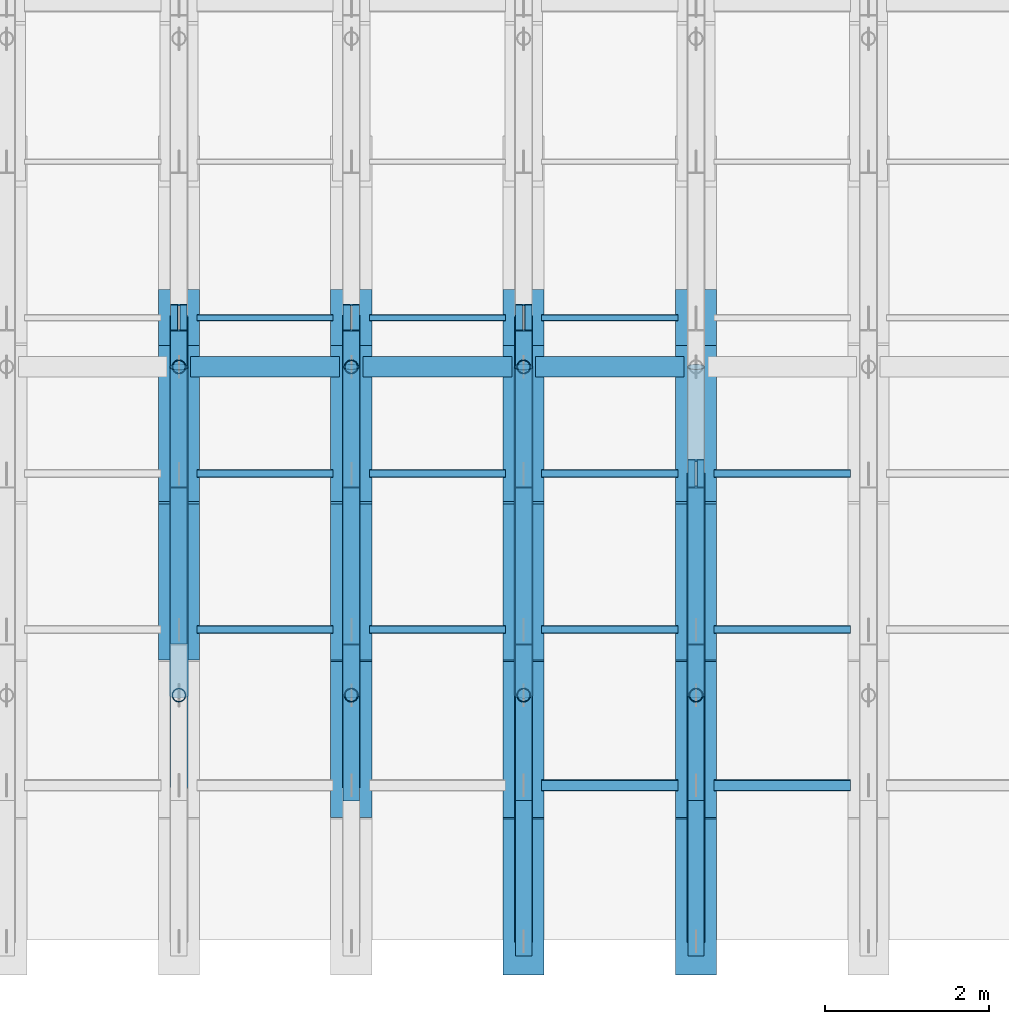
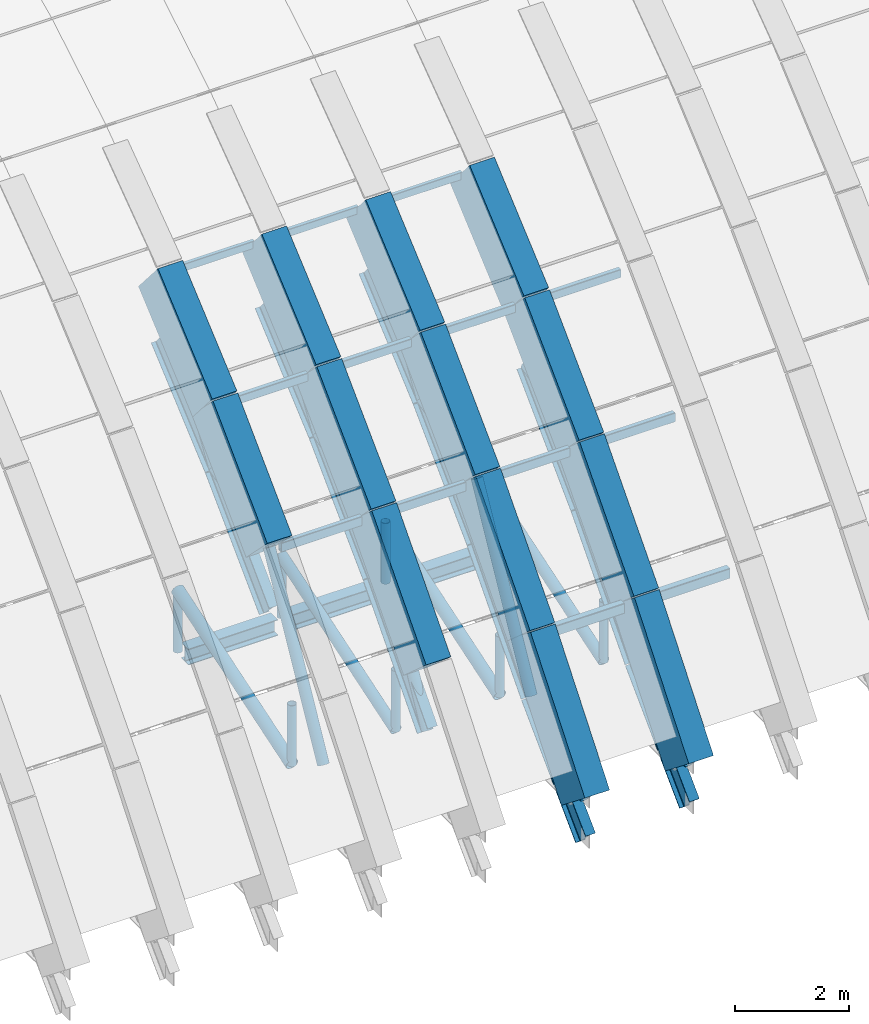
# One storey, part 7 of 67: 37 members, 28 beams.
"""IFC4 building model written with IfcOpenShell, lengths in metres."""

from ifc_helpers import new_model, si_unit, direction, frame, origin, origin_2d, place, context, subcontext, project, spatial, rectangle, hollow_rectangle, hollow_circle, i_section, extrude, material, material_profile, profile_set, type_object, element, save


model = new_model("IFC4")

# Units and contexts
model_context = context("Model", 3, precision=1e-05, world=origin(), true_north=direction((0.0, 1.0)))
body_context = subcontext(model_context, "Body", "Model", "MODEL_VIEW")
ifc_project = project(units=[si_unit("LENGTHUNIT", "METRE"), si_unit("AREAUNIT", "SQUARE_METRE"), si_unit("VOLUMEUNIT", "CUBIC_METRE"), si_unit("PLANEANGLEUNIT", "RADIAN"), si_unit("MASSUNIT", "GRAM", prefix="KILO")], contexts=[model_context])

# Site, building, storey
site_placement = place(None, origin())
site = spatial("IfcSite", under=ifc_project, at=site_placement, CompositionType="ELEMENT")
building_placement = place(site_placement, origin())
building = spatial("IfcBuilding", under=site, at=building_placement, Name="Shengluoqiao Park Theatre", CompositionType="ELEMENT")
storey_placement = place(building_placement, frame((0.0, 0.0, 28.60009765625)))
storey = spatial("IfcBuildingStorey", under=building, at=storey_placement, Name="Roof", CompositionType="ELEMENT", Elevation=28.60009765625)

# Beams
ifc_material_1 = material(Name="Concrete C50", Category="concrete")
ifc_material_profile_1 = material_profile(ifc_material_1, rectangle(XDim=0.5, YDim=1.050048828125, at=origin_2d()), Name="RC ARCH 500x1050")
ifc_profile_set_1 = profile_set([ifc_material_profile_1], Name="Concrete C50")
beam_type_1 = type_object("IfcBeamType", Name="STR-BM-AR-5010", PredefinedType="BEAM", material=ifc_profile_set_1)
beam_1_placement = place(storey_placement, frame((69.60009765625, 79.800048828125, -5.484130859375), z_axis=(0.0, 0.708926398432, 0.705282469373), x_axis=(-1.0, 0.0, 0.0)))
element("IfcBeam", 1, at=beam_1_placement, inside=storey, type_object=beam_type_1, Name="Barrel-Shell Arch Rib R13-S03", PredefinedType="BEAM", context=body_context, shape_type="SweptSolid", body=[
    extrude(rectangle(XDim=0.5, YDim=1.050048828125, at=origin_2d()), origin(), (0.0, 0.0, 1.0), 2.679931640625),
])
beam_2_placement = place(storey_placement, frame((69.60009765625, 81.699951171875, -3.593994140625), z_axis=(0.0, 0.757433195517, 0.652912669757), x_axis=(-1.0, 0.0, 0.0)))
element("IfcBeam", 2, at=beam_2_placement, inside=storey, type_object=beam_type_1, Name="Barrel-Shell Arch Rib R13-S04", PredefinedType="BEAM", context=body_context, shape_type="SweptSolid", body=[
    extrude(rectangle(XDim=0.5, YDim=1.050048828125, at=origin_2d()), origin(), (0.0, 0.0, 1.0), 2.508544921875),
])
beam_3_placement = place(storey_placement, frame((71.699951171875, 77.89990234375, -7.6259765625), z_axis=(0.0, 0.663638456789, 0.748053473136), x_axis=(-1.0, 0.0, 0.0)))
element("IfcBeam", 3, at=beam_3_placement, inside=storey, type_object=beam_type_1, Name="Barrel-Shell Arch Rib R14-S02", PredefinedType="BEAM", context=body_context, shape_type="SweptSolid", body=[
    extrude(rectangle(XDim=0.5, YDim=1.050048828125, at=origin_2d()), origin(), (0.0, 0.0, 1.0), 2.86328125),
])
beam_4_placement = place(storey_placement, frame((71.699951171875, 79.800048828125, -5.484130859375), z_axis=(0.0, 0.708926398432, 0.705282469373), x_axis=(-1.0, 0.0, 0.0)))
element("IfcBeam", 4, at=beam_4_placement, inside=storey, type_object=beam_type_1, Name="Barrel-Shell Arch Rib R14-S03", PredefinedType="BEAM", context=body_context, shape_type="SweptSolid", body=[
    extrude(rectangle(XDim=0.5, YDim=1.050048828125, at=origin_2d()), origin(), (0.0, 0.0, 1.0), 2.679931640625),
])
beam_5_placement = place(storey_placement, frame((71.699951171875, 81.699951171875, -3.593994140625), z_axis=(0.0, 0.757433195517, 0.652912669757), x_axis=(-1.0, 0.0, 0.0)))
element("IfcBeam", 5, at=beam_5_placement, inside=storey, type_object=beam_type_1, Name="Barrel-Shell Arch Rib R14-S04", PredefinedType="BEAM", context=body_context, shape_type="SweptSolid", body=[
    extrude(rectangle(XDim=0.5, YDim=1.050048828125, at=origin_2d()), origin(), (0.0, 0.0, 1.0), 2.508544921875),
])
beam_6_placement = place(storey_placement, frame((73.800048828125, 76.0, -10.02001953125), z_axis=(0.0, 0.621631409309, 0.783309894588), x_axis=(-1.0, 0.0, 0.0)))
element("IfcBeam", 6, at=beam_6_placement, inside=storey, type_object=beam_type_1, Name="Barrel-Shell Arch Rib R15-S01", PredefinedType="BEAM", context=body_context, shape_type="SweptSolid", body=[
    extrude(rectangle(XDim=0.5, YDim=1.050048828125, at=origin_2d()), origin(), (0.0, 0.0, 1.0), 3.056396484375),
])
beam_7_placement = place(storey_placement, frame((73.800048828125, 77.89990234375, -7.6259765625), z_axis=(0.0, 0.663638456789, 0.748053473136), x_axis=(-1.0, 0.0, 0.0)))
element("IfcBeam", 7, at=beam_7_placement, inside=storey, type_object=beam_type_1, Name="Barrel-Shell Arch Rib R15-S02", PredefinedType="BEAM", context=body_context, shape_type="SweptSolid", body=[
    extrude(rectangle(XDim=0.5, YDim=1.050048828125, at=origin_2d()), origin(), (0.0, 0.0, 1.0), 2.86328125),
])
beam_8_placement = place(storey_placement, frame((73.800048828125, 79.800048828125, -5.484130859375), z_axis=(0.0, 0.708926398432, 0.705282469373), x_axis=(-1.0, 0.0, 0.0)))
element("IfcBeam", 8, at=beam_8_placement, inside=storey, type_object=beam_type_1, Name="Barrel-Shell Arch Rib R15-S03", PredefinedType="BEAM", context=body_context, shape_type="SweptSolid", body=[
    extrude(rectangle(XDim=0.5, YDim=1.050048828125, at=origin_2d()), origin(), (0.0, 0.0, 1.0), 2.679931640625),
])
beam_9_placement = place(storey_placement, frame((73.800048828125, 81.699951171875, -3.593994140625), z_axis=(0.0, 0.757433195517, 0.652912669757), x_axis=(-1.0, 0.0, 0.0)))
element("IfcBeam", 9, at=beam_9_placement, inside=storey, type_object=beam_type_1, Name="Barrel-Shell Arch Rib R15-S04", PredefinedType="BEAM", context=body_context, shape_type="SweptSolid", body=[
    extrude(rectangle(XDim=0.5, YDim=1.050048828125, at=origin_2d()), origin(), (0.0, 0.0, 1.0), 2.508544921875),
])
beam_10_placement = place(storey_placement, frame((75.89990234375, 76.0, -10.02001953125), z_axis=(0.0, 0.621631409309, 0.783309894588), x_axis=(-1.0, 0.0, 0.0)))
element("IfcBeam", 10, at=beam_10_placement, inside=storey, type_object=beam_type_1, Name="Barrel-Shell Arch Rib R16-S01", PredefinedType="BEAM", context=body_context, shape_type="SweptSolid", body=[
    extrude(rectangle(XDim=0.5, YDim=1.050048828125, at=origin_2d()), origin(), (0.0, 0.0, 1.0), 3.056396484375),
])
beam_11_placement = place(storey_placement, frame((75.89990234375, 77.89990234375, -7.6259765625), z_axis=(0.0, 0.663638456789, 0.748053473136), x_axis=(-1.0, 0.0, 0.0)))
element("IfcBeam", 11, at=beam_11_placement, inside=storey, type_object=beam_type_1, Name="Barrel-Shell Arch Rib R16-S02", PredefinedType="BEAM", context=body_context, shape_type="SweptSolid", body=[
    extrude(rectangle(XDim=0.5, YDim=1.050048828125, at=origin_2d()), origin(), (0.0, 0.0, 1.0), 2.86328125),
])
beam_12_placement = place(storey_placement, frame((75.89990234375, 79.800048828125, -5.484130859375), z_axis=(0.0, 0.708926398432, 0.705282469373), x_axis=(-1.0, 0.0, 0.0)))
element("IfcBeam", 12, at=beam_12_placement, inside=storey, type_object=beam_type_1, Name="Barrel-Shell Arch Rib R16-S03", PredefinedType="BEAM", context=body_context, shape_type="SweptSolid", body=[
    extrude(rectangle(XDim=0.5, YDim=1.050048828125, at=origin_2d()), origin(), (0.0, 0.0, 1.0), 2.679931640625),
])
beam_13_placement = place(storey_placement, frame((75.89990234375, 81.699951171875, -3.593994140625), z_axis=(0.0, 0.757433195517, 0.652912669757), x_axis=(-1.0, 0.0, 0.0)))
element("IfcBeam", 13, at=beam_13_placement, inside=storey, type_object=beam_type_1, Name="Barrel-Shell Arch Rib R16-S04", PredefinedType="BEAM", context=body_context, shape_type="SweptSolid", body=[
    extrude(rectangle(XDim=0.5, YDim=1.050048828125, at=origin_2d()), origin(), (0.0, 0.0, 1.0), 2.508544921875),
])
ifc_material_2 = material(Name="Steel Q355", Category="steel")
ifc_material_profile_2 = material_profile(ifc_material_2, i_section(OverallWidth=0.25, OverallDepth=0.340087890625, WebThickness=0.009033203125, FlangeThickness=0.013916015625, FilletRadius=0.01611328125, at=origin_2d()), Name="HM 340x250x9x14")
ifc_profile_set_2 = profile_set([ifc_material_profile_2], Name="Steel Q355")
beam_type_2 = type_object("IfcBeamType", Name="STR-BM-G-HM340", PredefinedType="BEAM", material=ifc_profile_set_2)
for number, where, z_axis, x_axis, name in (
    (14, (69.743896484375, 83.0, -9.77001953125), (1.0, 0.0, 0.0), (0.0, 1.0, 0.0), "Auditorium Overhead Catwalk Girder R13-1"),
    (15, (71.843994140625, 83.0, -9.77001953125), (1.0, 0.0, 0.0), (0.0, 1.0, 0.0), "Auditorium Overhead Catwalk Girder R14-1"),
    (16, (73.944091796875, 83.0, -9.77001953125), (1.0, 0.0, 0.0), (0.0, 1.0, 0.0), "Auditorium Overhead Catwalk Girder R15-1"),
):
    element("IfcBeam", number, at=place(storey_placement, frame(where, z_axis=z_axis, x_axis=x_axis)), inside=storey, type_object=beam_type_2, Name=name, PredefinedType="BEAM", context=body_context, shape_type="SweptSolid", body=[
        extrude(i_section(OverallWidth=0.25, OverallDepth=0.340087890625, WebThickness=0.009033203125, FlangeThickness=0.013916015625, FilletRadius=0.01611328125, at=origin_2d()), origin(), (0.0, 0.0, 1.0), 1.81201171875),
    ])
ifc_material_profile_3 = material_profile(ifc_material_2, i_section(OverallWidth=0.199951171875, OverallDepth=0.5, WebThickness=0.010009765625, FlangeThickness=0.01611328125, FilletRadius=0.01806640625, at=origin_2d()), Name="HN 500x200x10x16")
ifc_profile_set_3 = profile_set([ifc_material_profile_3], Name="Steel Q355")
beam_type_3 = type_object("IfcBeamType", Name="STR-BM-J-HN500", PredefinedType="JOIST", material=ifc_profile_set_3)
beam_14_placement = place(storey_placement, frame((69.60009765625, 79.800048828125, -6.843994140625), z_axis=(0.0, 0.708971948389, 0.70523668112), x_axis=(-1.0, 0.0, 0.0)))
element("IfcBeam", 17, at=beam_14_placement, inside=storey, type_object=beam_type_3, Name="Barrel-Shell Lower Arch Chord R13-S03", PredefinedType="JOIST", context=body_context, shape_type="SweptSolid", body=[
    extrude(i_section(OverallWidth=0.199951171875, OverallDepth=0.5, WebThickness=0.010009765625, FlangeThickness=0.01611328125, FilletRadius=0.01806640625, at=origin_2d()), origin(), (0.0, 0.0, 1.0), 2.6796875),
])
beam_15_placement = place(storey_placement, frame((69.60009765625, 81.699951171875, -4.9541015625), z_axis=(0.0, 0.757433195517, 0.652912669757), x_axis=(-1.0, 0.0, 0.0)))
element("IfcBeam", 18, at=beam_15_placement, inside=storey, type_object=beam_type_3, Name="Barrel-Shell Lower Arch Chord R13-S04", PredefinedType="JOIST", context=body_context, shape_type="SweptSolid", body=[
    extrude(i_section(OverallWidth=0.199951171875, OverallDepth=0.5, WebThickness=0.010009765625, FlangeThickness=0.01611328125, FilletRadius=0.01806640625, at=origin_2d()), origin(), (0.0, 0.0, 1.0), 2.508544921875),
])
beam_16_placement = place(storey_placement, frame((71.699951171875, 77.89990234375, -8.986083984375), z_axis=(0.0, 0.663596128385, 0.748091022799), x_axis=(-1.0, 0.0, 0.0)))
element("IfcBeam", 19, at=beam_16_placement, inside=storey, type_object=beam_type_3, Name="Barrel-Shell Lower Arch Chord R14-S02", PredefinedType="JOIST", context=body_context, shape_type="SweptSolid", body=[
    extrude(i_section(OverallWidth=0.199951171875, OverallDepth=0.5, WebThickness=0.010009765625, FlangeThickness=0.01611328125, FilletRadius=0.01806640625, at=origin_2d()), origin(), (0.0, 0.0, 1.0), 2.863525390625),
])
beam_17_placement = place(storey_placement, frame((71.699951171875, 79.800048828125, -6.843994140625), z_axis=(0.0, 0.708971948389, 0.70523668112), x_axis=(-1.0, 0.0, 0.0)))
element("IfcBeam", 20, at=beam_17_placement, inside=storey, type_object=beam_type_3, Name="Barrel-Shell Lower Arch Chord R14-S03", PredefinedType="JOIST", context=body_context, shape_type="SweptSolid", body=[
    extrude(i_section(OverallWidth=0.199951171875, OverallDepth=0.5, WebThickness=0.010009765625, FlangeThickness=0.01611328125, FilletRadius=0.01806640625, at=origin_2d()), origin(), (0.0, 0.0, 1.0), 2.6796875),
])
beam_18_placement = place(storey_placement, frame((71.699951171875, 81.699951171875, -4.9541015625), z_axis=(0.0, 0.757433195517, 0.652912669757), x_axis=(-1.0, 0.0, 0.0)))
element("IfcBeam", 21, at=beam_18_placement, inside=storey, type_object=beam_type_3, Name="Barrel-Shell Lower Arch Chord R14-S04", PredefinedType="JOIST", context=body_context, shape_type="SweptSolid", body=[
    extrude(i_section(OverallWidth=0.199951171875, OverallDepth=0.5, WebThickness=0.010009765625, FlangeThickness=0.01611328125, FilletRadius=0.01806640625, at=origin_2d()), origin(), (0.0, 0.0, 1.0), 2.508544921875),
])
beam_19_placement = place(storey_placement, frame((73.800048828125, 76.0, -10.880126953125), z_axis=(0.0, 0.708197993403, 0.706013882398), x_axis=(-1.0, 0.0, 0.0)))
element("IfcBeam", 22, at=beam_19_placement, inside=storey, type_object=beam_type_3, Name="Barrel-Shell Lower Arch Chord R15-S01", PredefinedType="JOIST", context=body_context, shape_type="SweptSolid", body=[
    extrude(i_section(OverallWidth=0.199951171875, OverallDepth=0.5, WebThickness=0.010009765625, FlangeThickness=0.01611328125, FilletRadius=0.01806640625, at=origin_2d()), origin(), (0.0, 0.0, 1.0), 2.6826171875),
])
beam_20_placement = place(storey_placement, frame((73.800048828125, 77.89990234375, -8.986083984375), z_axis=(0.0, 0.663596128385, 0.748091022799), x_axis=(-1.0, 0.0, 0.0)))
element("IfcBeam", 23, at=beam_20_placement, inside=storey, type_object=beam_type_3, Name="Barrel-Shell Lower Arch Chord R15-S02", PredefinedType="JOIST", context=body_context, shape_type="SweptSolid", body=[
    extrude(i_section(OverallWidth=0.199951171875, OverallDepth=0.5, WebThickness=0.010009765625, FlangeThickness=0.01611328125, FilletRadius=0.01806640625, at=origin_2d()), origin(), (0.0, 0.0, 1.0), 2.863525390625),
])
beam_21_placement = place(storey_placement, frame((73.800048828125, 79.800048828125, -6.843994140625), z_axis=(0.0, 0.708971948389, 0.70523668112), x_axis=(-1.0, 0.0, 0.0)))
element("IfcBeam", 24, at=beam_21_placement, inside=storey, type_object=beam_type_3, Name="Barrel-Shell Lower Arch Chord R15-S03", PredefinedType="JOIST", context=body_context, shape_type="SweptSolid", body=[
    extrude(i_section(OverallWidth=0.199951171875, OverallDepth=0.5, WebThickness=0.010009765625, FlangeThickness=0.01611328125, FilletRadius=0.01806640625, at=origin_2d()), origin(), (0.0, 0.0, 1.0), 2.6796875),
])
beam_22_placement = place(storey_placement, frame((73.800048828125, 81.699951171875, -4.9541015625), z_axis=(0.0, 0.757433195517, 0.652912669757), x_axis=(-1.0, 0.0, 0.0)))
element("IfcBeam", 25, at=beam_22_placement, inside=storey, type_object=beam_type_3, Name="Barrel-Shell Lower Arch Chord R15-S04", PredefinedType="JOIST", context=body_context, shape_type="SweptSolid", body=[
    extrude(i_section(OverallWidth=0.199951171875, OverallDepth=0.5, WebThickness=0.010009765625, FlangeThickness=0.01611328125, FilletRadius=0.01806640625, at=origin_2d()), origin(), (0.0, 0.0, 1.0), 2.508544921875),
])
beam_23_placement = place(storey_placement, frame((75.89990234375, 76.0, -10.880126953125), z_axis=(0.0, 0.708197993403, 0.706013882398), x_axis=(-1.0, 0.0, 0.0)))
element("IfcBeam", 26, at=beam_23_placement, inside=storey, type_object=beam_type_3, Name="Barrel-Shell Lower Arch Chord R16-S01", PredefinedType="JOIST", context=body_context, shape_type="SweptSolid", body=[
    extrude(i_section(OverallWidth=0.199951171875, OverallDepth=0.5, WebThickness=0.010009765625, FlangeThickness=0.01611328125, FilletRadius=0.01806640625, at=origin_2d()), origin(), (0.0, 0.0, 1.0), 2.6826171875),
])
beam_24_placement = place(storey_placement, frame((75.89990234375, 77.89990234375, -8.986083984375), z_axis=(0.0, 0.663596128385, 0.748091022799), x_axis=(-1.0, 0.0, 0.0)))
element("IfcBeam", 27, at=beam_24_placement, inside=storey, type_object=beam_type_3, Name="Barrel-Shell Lower Arch Chord R16-S02", PredefinedType="JOIST", context=body_context, shape_type="SweptSolid", body=[
    extrude(i_section(OverallWidth=0.199951171875, OverallDepth=0.5, WebThickness=0.010009765625, FlangeThickness=0.01611328125, FilletRadius=0.01806640625, at=origin_2d()), origin(), (0.0, 0.0, 1.0), 2.863525390625),
])
beam_25_placement = place(storey_placement, frame((75.89990234375, 79.800048828125, -6.843994140625), z_axis=(0.0, 0.708971948389, 0.70523668112), x_axis=(-1.0, 0.0, 0.0)))
element("IfcBeam", 28, at=beam_25_placement, inside=storey, type_object=beam_type_3, Name="Barrel-Shell Lower Arch Chord R16-S03", PredefinedType="JOIST", context=body_context, shape_type="SweptSolid", body=[
    extrude(i_section(OverallWidth=0.199951171875, OverallDepth=0.5, WebThickness=0.010009765625, FlangeThickness=0.01611328125, FilletRadius=0.01806640625, at=origin_2d()), origin(), (0.0, 0.0, 1.0), 2.6796875),
])

# Members
ifc_material_profile_4 = material_profile(ifc_material_2, hollow_circle(Radius=0.109619140625, WallThickness=0.010009765625, at=origin_2d()), Name="CHS 219x10")
ifc_profile_set_4 = profile_set([ifc_material_profile_4], Name="Steel Q355")
member_type_1 = type_object("IfcMemberType", Name="STR-MEM-BRC-219", PredefinedType="BRACE", material=ifc_profile_set_4)
member_1_placement = place(storey_placement, frame((69.60009765625, 77.89990234375, -8.986083984375), z_axis=(0.0, 0.476914707828, 0.87894957845), x_axis=(-1.0, 0.0, 0.0)))
element("IfcMember", 29, at=member_1_placement, inside=storey, type_object=member_type_1, Name="Barrel-Shell Arch Truss Web 0242", PredefinedType="BRACE", context=body_context, shape_type="SweptSolid", body=[
    extrude(hollow_circle(Radius=0.109619140625, WallThickness=0.010009765625, at=origin_2d()), origin(), (0.0, 0.0, 1.0), 3.984130859375),
])
member_2_placement = place(storey_placement, frame((69.60009765625, 79.800048828125, -5.484130859375), z_axis=(0.0, 0.963219400843, 0.268716180831), x_axis=(-1.0, 0.0, 0.0)))
element("IfcMember", 30, at=member_2_placement, inside=storey, type_object=member_type_1, Name="Barrel-Shell Arch Truss Web 0243", PredefinedType="BRACE", context=body_context, shape_type="SweptSolid", body=[
    extrude(hollow_circle(Radius=0.109619140625, WallThickness=0.010009765625, at=origin_2d()), origin(), (0.0, 0.0, 1.0), 1.972412109375),
])
member_3_placement = place(storey_placement, frame((69.60009765625, 81.699951171875, -4.9541015625), z_axis=(0.0, 0.535330234694, 0.844642847494), x_axis=(-1.0, 0.0, 0.0)))
element("IfcMember", 31, at=member_3_placement, inside=storey, type_object=member_type_1, Name="Barrel-Shell Arch Truss Web 0244", PredefinedType="BRACE", context=body_context, shape_type="SweptSolid", body=[
    extrude(hollow_circle(Radius=0.109619140625, WallThickness=0.010009765625, at=origin_2d()), origin(), (0.0, 0.0, 1.0), 3.549560546875),
])
member_4_placement = place(storey_placement, frame((71.699951171875, 77.89990234375, -8.986083984375), z_axis=(0.0, 0.476914707828, 0.87894957845), x_axis=(-1.0, 0.0, 0.0)))
element("IfcMember", 32, at=member_4_placement, inside=storey, type_object=member_type_1, Name="Barrel-Shell Arch Truss Web 0262", PredefinedType="BRACE", context=body_context, shape_type="SweptSolid", body=[
    extrude(hollow_circle(Radius=0.109619140625, WallThickness=0.010009765625, at=origin_2d()), origin(), (0.0, 0.0, 1.0), 3.984130859375),
])
member_5_placement = place(storey_placement, frame((71.699951171875, 79.800048828125, -5.484130859375), z_axis=(0.0, 0.963219400843, 0.268716180831), x_axis=(-1.0, 0.0, 0.0)))
element("IfcMember", 33, at=member_5_placement, inside=storey, type_object=member_type_1, Name="Barrel-Shell Arch Truss Web 0263", PredefinedType="BRACE", context=body_context, shape_type="SweptSolid", body=[
    extrude(hollow_circle(Radius=0.109619140625, WallThickness=0.010009765625, at=origin_2d()), origin(), (0.0, 0.0, 1.0), 1.972412109375),
])
member_6_placement = place(storey_placement, frame((71.699951171875, 81.699951171875, -4.9541015625), z_axis=(0.0, 0.535330234694, 0.844642847494), x_axis=(-1.0, 0.0, 0.0)))
element("IfcMember", 34, at=member_6_placement, inside=storey, type_object=member_type_1, Name="Barrel-Shell Arch Truss Web 0264", PredefinedType="BRACE", context=body_context, shape_type="SweptSolid", body=[
    extrude(hollow_circle(Radius=0.109619140625, WallThickness=0.010009765625, at=origin_2d()), origin(), (0.0, 0.0, 1.0), 3.549560546875),
])
member_7_placement = place(storey_placement, frame((73.800048828125, 76.0, -10.02001953125), z_axis=(0.0, 0.878356711208, 0.478005740422), x_axis=(-1.0, 0.0, 0.0)))
element("IfcMember", 35, at=member_7_placement, inside=storey, type_object=member_type_1, Name="Barrel-Shell Arch Truss Web 0281", PredefinedType="BRACE", context=body_context, shape_type="SweptSolid", body=[
    extrude(hollow_circle(Radius=0.109619140625, WallThickness=0.010009765625, at=origin_2d()), origin(), (0.0, 0.0, 1.0), 2.1630859375),
])
member_8_placement = place(storey_placement, frame((73.800048828125, 77.89990234375, -8.986083984375), z_axis=(0.0, 0.476914707828, 0.87894957845), x_axis=(-1.0, 0.0, 0.0)))
element("IfcMember", 36, at=member_8_placement, inside=storey, type_object=member_type_1, Name="Barrel-Shell Arch Truss Web 0282", PredefinedType="BRACE", context=body_context, shape_type="SweptSolid", body=[
    extrude(hollow_circle(Radius=0.109619140625, WallThickness=0.010009765625, at=origin_2d()), origin(), (0.0, 0.0, 1.0), 3.984130859375),
])
member_9_placement = place(storey_placement, frame((73.800048828125, 79.800048828125, -5.484130859375), z_axis=(0.0, 0.963219400843, 0.268716180831), x_axis=(-1.0, 0.0, 0.0)))
element("IfcMember", 37, at=member_9_placement, inside=storey, type_object=member_type_1, Name="Barrel-Shell Arch Truss Web 0283", PredefinedType="BRACE", context=body_context, shape_type="SweptSolid", body=[
    extrude(hollow_circle(Radius=0.109619140625, WallThickness=0.010009765625, at=origin_2d()), origin(), (0.0, 0.0, 1.0), 1.972412109375),
])
member_10_placement = place(storey_placement, frame((73.800048828125, 81.699951171875, -4.9541015625), z_axis=(0.0, 0.535330234694, 0.844642847494), x_axis=(-1.0, 0.0, 0.0)))
element("IfcMember", 38, at=member_10_placement, inside=storey, type_object=member_type_1, Name="Barrel-Shell Arch Truss Web 0284", PredefinedType="BRACE", context=body_context, shape_type="SweptSolid", body=[
    extrude(hollow_circle(Radius=0.109619140625, WallThickness=0.010009765625, at=origin_2d()), origin(), (0.0, 0.0, 1.0), 3.549560546875),
])
member_11_placement = place(storey_placement, frame((75.89990234375, 76.0, -10.02001953125), z_axis=(0.0, 0.878356711208, 0.478005740422), x_axis=(-1.0, 0.0, 0.0)))
element("IfcMember", 39, at=member_11_placement, inside=storey, type_object=member_type_1, Name="Barrel-Shell Arch Truss Web 0301", PredefinedType="BRACE", context=body_context, shape_type="SweptSolid", body=[
    extrude(hollow_circle(Radius=0.109619140625, WallThickness=0.010009765625, at=origin_2d()), origin(), (0.0, 0.0, 1.0), 2.1630859375),
])
member_12_placement = place(storey_placement, frame((75.89990234375, 77.89990234375, -8.986083984375), z_axis=(0.0, 0.476914707828, 0.87894957845), x_axis=(-1.0, 0.0, 0.0)))
element("IfcMember", 40, at=member_12_placement, inside=storey, type_object=member_type_1, Name="Barrel-Shell Arch Truss Web 0302", PredefinedType="BRACE", context=body_context, shape_type="SweptSolid", body=[
    extrude(hollow_circle(Radius=0.109619140625, WallThickness=0.010009765625, at=origin_2d()), origin(), (0.0, 0.0, 1.0), 3.984130859375),
])
member_13_placement = place(storey_placement, frame((75.89990234375, 79.800048828125, -5.484130859375), z_axis=(0.0, 0.963219400843, 0.268716180831), x_axis=(-1.0, 0.0, 0.0)))
element("IfcMember", 41, at=member_13_placement, inside=storey, type_object=member_type_1, Name="Barrel-Shell Arch Truss Web 0303", PredefinedType="BRACE", context=body_context, shape_type="SweptSolid", body=[
    extrude(hollow_circle(Radius=0.109619140625, WallThickness=0.010009765625, at=origin_2d()), origin(), (0.0, 0.0, 1.0), 1.972412109375),
])
for number, where, z_axis, x_axis, name in (
    (42, (71.699951171875, 79.0, -9.650146484375), (0.0, 0.951030656115, 0.309096572498), (-1.0, 0.0, 0.0), "Acoustic Tie Truss Diagonal 0078"),
    (43, (75.89990234375, 79.0, -9.650146484375), (0.0, 0.951030656115, 0.309096572498), (-1.0, 0.0, 0.0), "Acoustic Tie Truss Diagonal 0112"),
):
    element("IfcMember", number, at=place(storey_placement, frame(where, z_axis=z_axis, x_axis=x_axis)), inside=storey, type_object=member_type_1, Name=name, PredefinedType="BRACE", context=body_context, shape_type="SweptSolid", body=[
        extrude(hollow_circle(Radius=0.109619140625, WallThickness=0.010009765625, at=origin_2d()), origin(), (0.0, 0.0, 1.0), 4.2060546875),
    ])
ifc_material_profile_5 = material_profile(ifc_material_2, hollow_circle(Radius=0.12255859375, WallThickness=0.010009765625, at=origin_2d()), Name="CHS 245x10")
ifc_profile_set_5 = profile_set([ifc_material_profile_5], Name="Steel Q355")
member_type_2 = type_object("IfcMemberType", Name="STR-MEM-BRC-245", PredefinedType="BRACE", material=ifc_profile_set_5)
for number, where, z_axis, x_axis, name in (
    (44, (69.60009765625, 79.0, -9.650146484375), (0.0, 0.951030656115, 0.309096572498), (-1.0, 0.0, 0.0), "Acoustic Tie Truss Diagonal 0061"),
    (45, (73.800048828125, 79.0, -9.650146484375), (0.0, 0.951030656115, 0.309096572498), (-1.0, 0.0, 0.0), "Acoustic Tie Truss Diagonal 0095"),
):
    element("IfcMember", number, at=place(storey_placement, frame(where, z_axis=z_axis, x_axis=x_axis)), inside=storey, type_object=member_type_2, Name=name, PredefinedType="BRACE", context=body_context, shape_type="SweptSolid", body=[
        extrude(hollow_circle(Radius=0.12255859375, WallThickness=0.010009765625, at=origin_2d()), origin(), (0.0, 0.0, 1.0), 4.2060546875),
    ])
ifc_material_profile_6 = material_profile(ifc_material_2, hollow_rectangle(XDim=0.080078125, YDim=0.159912109375, WallThickness=0.006103515625, InnerFilletRadius=0.006103515625, OuterFilletRadius=0.011962890625, at=origin_2d()), Name="RHS 160x80x6")
ifc_profile_set_6 = profile_set([ifc_material_profile_6], Name="Steel Q355")
member_type_3 = type_object("IfcMemberType", Name="STR-MEM-PU-R160", PredefinedType="PURLIN", material=ifc_profile_set_6)
member_14_placement = place(storey_placement, frame((69.820068359375, 83.60009765625, -1.97607421875), z_axis=(1.0, 0.0, 0.0), x_axis=(0.0, 1.0, 0.0)))
element("IfcMember", 46, at=member_14_placement, inside=storey, type_object=member_type_3, Name="Shell Longitudinal Purlin 0232", PredefinedType="PURLIN", context=body_context, shape_type="SweptSolid", body=[
    extrude(hollow_rectangle(XDim=0.080078125, YDim=0.159912109375, WallThickness=0.006103515625, InnerFilletRadius=0.006103515625, OuterFilletRadius=0.011962890625, at=origin_2d()), origin(), (0.0, 0.0, 1.0), 1.659912109375),
])
member_15_placement = place(storey_placement, frame((71.919921875, 83.60009765625, -1.97607421875), z_axis=(1.0, 0.0, 0.0), x_axis=(0.0, 1.0, 0.0)))
element("IfcMember", 47, at=member_15_placement, inside=storey, type_object=member_type_3, Name="Shell Longitudinal Purlin 0251", PredefinedType="PURLIN", context=body_context, shape_type="SweptSolid", body=[
    extrude(hollow_rectangle(XDim=0.080078125, YDim=0.159912109375, WallThickness=0.006103515625, InnerFilletRadius=0.006103515625, OuterFilletRadius=0.011962890625, at=origin_2d()), origin(), (0.0, 0.0, 1.0), 1.66015625),
])
member_16_placement = place(storey_placement, frame((74.02001953125, 83.60009765625, -1.97607421875), z_axis=(1.0, 0.0, 0.0), x_axis=(0.0, 1.0, 0.0)))
element("IfcMember", 48, at=member_16_placement, inside=storey, type_object=member_type_3, Name="Shell Longitudinal Purlin 0270", PredefinedType="PURLIN", context=body_context, shape_type="SweptSolid", body=[
    extrude(hollow_rectangle(XDim=0.080078125, YDim=0.159912109375, WallThickness=0.006103515625, InnerFilletRadius=0.006103515625, OuterFilletRadius=0.011962890625, at=origin_2d()), origin(), (0.0, 0.0, 1.0), 1.659912109375),
])
ifc_material_profile_7 = material_profile(ifc_material_2, hollow_rectangle(XDim=0.10009765625, YDim=0.179931640625, WallThickness=0.008056640625, InnerFilletRadius=0.008056640625, OuterFilletRadius=0.01611328125, at=origin_2d()), Name="RHS 180x100x8")
ifc_profile_set_7 = profile_set([ifc_material_profile_7], Name="Steel Q355")
member_type_4 = type_object("IfcMemberType", Name="STR-MEM-PU-R180", PredefinedType="PURLIN", material=ifc_profile_set_7)
member_17_placement = place(storey_placement, frame((69.820068359375, 81.699951171875, -3.64404296875), z_axis=(1.0, 0.0, 0.0), x_axis=(0.0, 1.0, 0.0)))
element("IfcMember", 49, at=member_17_placement, inside=storey, type_object=member_type_4, Name="Shell Longitudinal Purlin 0231", PredefinedType="PURLIN", context=body_context, shape_type="SweptSolid", body=[
    extrude(hollow_rectangle(XDim=0.10009765625, YDim=0.179931640625, WallThickness=0.008056640625, InnerFilletRadius=0.008056640625, OuterFilletRadius=0.01611328125, at=origin_2d()), origin(), (0.0, 0.0, 1.0), 1.659912109375),
])
member_18_placement = place(storey_placement, frame((71.919921875, 81.699951171875, -3.64404296875), z_axis=(1.0, 0.0, 0.0), x_axis=(0.0, 1.0, 0.0)))
element("IfcMember", 50, at=member_18_placement, inside=storey, type_object=member_type_4, Name="Shell Longitudinal Purlin 0250", PredefinedType="PURLIN", context=body_context, shape_type="SweptSolid", body=[
    extrude(hollow_rectangle(XDim=0.10009765625, YDim=0.179931640625, WallThickness=0.008056640625, InnerFilletRadius=0.008056640625, OuterFilletRadius=0.01611328125, at=origin_2d()), origin(), (0.0, 0.0, 1.0), 1.66015625),
])
for number, where, z_axis, x_axis, name in (
    (51, (74.02001953125, 81.699951171875, -3.64404296875), (1.0, 0.0, 0.0), (0.0, 1.0, 0.0), "Shell Longitudinal Purlin 0269"),
    (52, (76.1201171875, 81.699951171875, -3.64404296875), (1.0, 0.0, 0.0), (0.0, 1.0, 0.0), "Shell Longitudinal Purlin 0288"),
):
    element("IfcMember", number, at=place(storey_placement, frame(where, z_axis=z_axis, x_axis=x_axis)), inside=storey, type_object=member_type_4, Name=name, PredefinedType="PURLIN", context=body_context, shape_type="SweptSolid", body=[
        extrude(hollow_rectangle(XDim=0.10009765625, YDim=0.179931640625, WallThickness=0.008056640625, InnerFilletRadius=0.008056640625, OuterFilletRadius=0.01611328125, at=origin_2d()), origin(), (0.0, 0.0, 1.0), 1.659912109375),
    ])
ifc_material_profile_8 = material_profile(ifc_material_2, hollow_rectangle(XDim=0.10009765625, YDim=0.199951171875, WallThickness=0.008056640625, InnerFilletRadius=0.008056640625, OuterFilletRadius=0.01611328125, at=origin_2d()), Name="RHS 200x100x8")
ifc_profile_set_8 = profile_set([ifc_material_profile_8], Name="Steel Q355")
member_type_5 = type_object("IfcMemberType", Name="STR-MEM-PU-R200", PredefinedType="PURLIN", material=ifc_profile_set_8)
member_19_placement = place(storey_placement, frame((69.820068359375, 79.800048828125, -5.564208984375), z_axis=(1.0, 0.0, 0.0), x_axis=(0.0, 1.0, 0.0)))
element("IfcMember", 53, at=member_19_placement, inside=storey, type_object=member_type_5, Name="Shell Longitudinal Purlin 0230", PredefinedType="PURLIN", context=body_context, shape_type="SweptSolid", body=[
    extrude(hollow_rectangle(XDim=0.10009765625, YDim=0.199951171875, WallThickness=0.008056640625, InnerFilletRadius=0.008056640625, OuterFilletRadius=0.01611328125, at=origin_2d()), origin(), (0.0, 0.0, 1.0), 1.659912109375),
])
member_20_placement = place(storey_placement, frame((71.919921875, 79.800048828125, -5.564208984375), z_axis=(1.0, 0.0, 0.0), x_axis=(0.0, 1.0, 0.0)))
element("IfcMember", 54, at=member_20_placement, inside=storey, type_object=member_type_5, Name="Shell Longitudinal Purlin 0249", PredefinedType="PURLIN", context=body_context, shape_type="SweptSolid", body=[
    extrude(hollow_rectangle(XDim=0.10009765625, YDim=0.199951171875, WallThickness=0.008056640625, InnerFilletRadius=0.008056640625, OuterFilletRadius=0.01611328125, at=origin_2d()), origin(), (0.0, 0.0, 1.0), 1.66015625),
])
for number, where, z_axis, x_axis, name in (
    (55, (74.02001953125, 79.800048828125, -5.564208984375), (1.0, 0.0, 0.0), (0.0, 1.0, 0.0), "Shell Longitudinal Purlin 0268"),
    (56, (76.1201171875, 79.800048828125, -5.564208984375), (1.0, 0.0, 0.0), (0.0, 1.0, 0.0), "Shell Longitudinal Purlin 0287"),
):
    element("IfcMember", number, at=place(storey_placement, frame(where, z_axis=z_axis, x_axis=x_axis)), inside=storey, type_object=member_type_5, Name=name, PredefinedType="PURLIN", context=body_context, shape_type="SweptSolid", body=[
        extrude(hollow_rectangle(XDim=0.10009765625, YDim=0.199951171875, WallThickness=0.008056640625, InnerFilletRadius=0.008056640625, OuterFilletRadius=0.01611328125, at=origin_2d()), origin(), (0.0, 0.0, 1.0), 1.659912109375),
    ])
ifc_material_profile_9 = material_profile(ifc_material_2, hollow_rectangle(XDim=0.139892578125, YDim=0.219970703125, WallThickness=0.010009765625, InnerFilletRadius=0.010009765625, OuterFilletRadius=0.02001953125, at=origin_2d()), Name="RHS 220x140x10")
ifc_profile_set_9 = profile_set([ifc_material_profile_9], Name="Steel Q355")
member_type_6 = type_object("IfcMemberType", Name="STR-MEM-PU-R220", PredefinedType="PURLIN", material=ifc_profile_set_9)
for number, where, z_axis, x_axis, name in (
    (57, (74.02001953125, 77.89990234375, -7.736083984375), (1.0, 0.0, 0.0), (0.0, 1.0, 0.0), "Shell Longitudinal Purlin 0267"),
    (58, (76.1201171875, 77.89990234375, -7.736083984375), (1.0, 0.0, 0.0), (0.0, 1.0, 0.0), "Shell Longitudinal Purlin 0286"),
):
    element("IfcMember", number, at=place(storey_placement, frame(where, z_axis=z_axis, x_axis=x_axis)), inside=storey, type_object=member_type_6, Name=name, PredefinedType="PURLIN", context=body_context, shape_type="SweptSolid", body=[
        extrude(hollow_rectangle(XDim=0.139892578125, YDim=0.219970703125, WallThickness=0.010009765625, InnerFilletRadius=0.010009765625, OuterFilletRadius=0.02001953125, at=origin_2d()), origin(), (0.0, 0.0, 1.0), 1.659912109375),
    ])
ifc_material_profile_10 = material_profile(ifc_material_2, hollow_circle(Radius=0.083984375, WallThickness=0.008056640625, at=origin_2d()), Name="CHS 168x8")
ifc_profile_set_10 = profile_set([ifc_material_profile_10], Name="Steel Q355")
member_type_7 = type_object("IfcMemberType", Name="STR-MEM-STC-168", PredefinedType="STRUT", material=ifc_profile_set_10)
for number, where, z_axis, x_axis, name in (
    (59, (69.60009765625, 79.0, -9.650146484375), (0.0, 0.0, 1.0), (1.0, 0.0, 0.0), "Acoustic Tie Truss Strut 0052"),
    (60, (69.60009765625, 83.0, -9.650146484375), (0.0, 0.0, 1.0), (1.0, 0.0, 0.0), "Acoustic Tie Truss Strut 0053"),
    (61, (71.699951171875, 79.0, -9.650146484375), (0.0, 0.0, 1.0), (1.0, 0.0, 0.0), "Acoustic Tie Truss Strut 0069"),
    (62, (71.699951171875, 83.0, -9.650146484375), (0.0, 0.0, 1.0), (1.0, 0.0, 0.0), "Acoustic Tie Truss Strut 0070"),
    (63, (73.800048828125, 79.0, -9.650146484375), (0.0, 0.0, 1.0), (1.0, 0.0, 0.0), "Acoustic Tie Truss Strut 0086"),
    (64, (73.800048828125, 83.0, -9.650146484375), (0.0, 0.0, 1.0), (1.0, 0.0, 0.0), "Acoustic Tie Truss Strut 0087"),
    (65, (75.89990234375, 79.0, -9.650146484375), (0.0, 0.0, 1.0), (1.0, 0.0, 0.0), "Acoustic Tie Truss Strut 0103"),
):
    element("IfcMember", number, at=place(storey_placement, frame(where, z_axis=z_axis, x_axis=x_axis)), inside=storey, type_object=member_type_7, Name=name, PredefinedType="STRUT", context=body_context, shape_type="SweptSolid", body=[
        extrude(hollow_circle(Radius=0.083984375, WallThickness=0.008056640625, at=origin_2d()), origin(), (0.0, 0.0, 1.0), 1.300048828125),
    ])

save(model, "model.ifc")
